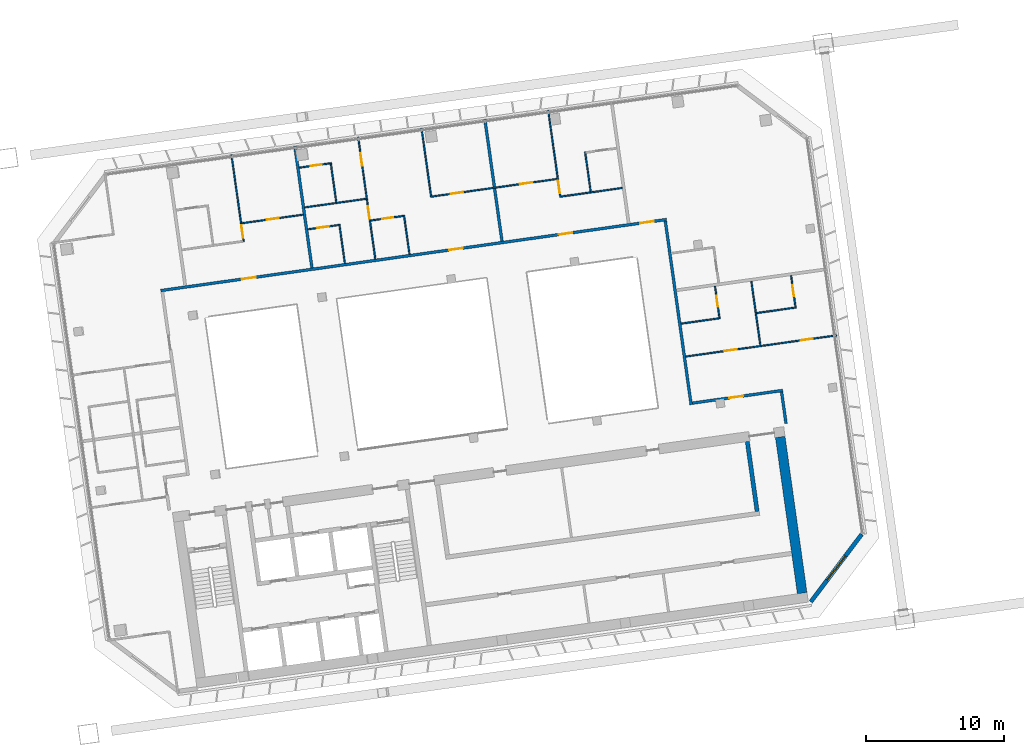
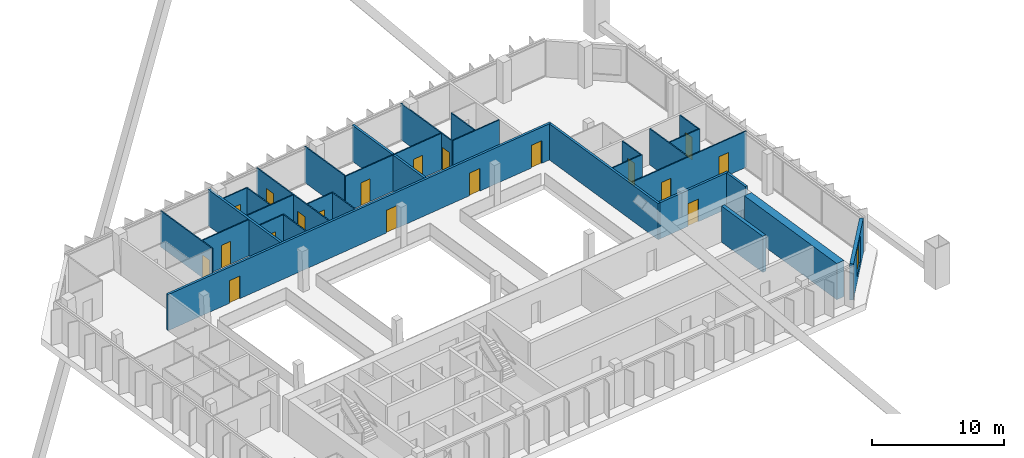
# One storey, part 30 of 38: 30 walls, 19 doors, 1 window, 20 openings.
"""IFC4 building model written with IfcOpenShell, lengths in metres."""

import ifcopenshell
import ifcopenshell.guid

model = None  # the IFC model being written
_history = None  # IfcOwnerHistory: only IFC2X3 demands one
_inside = {}  # id of a spatial element -> (the spatial element, [elements in it])
_under = {}  # id of a project, library or spatial element -> (it, [spatial elements below it])
_declared = {}  # id of a project -> (the project, [libraries it declares])
_typed = {}  # id of a type object -> (the type object, [elements of that type])
_made_of = {}  # id of a material, layer set ... -> (it, [elements and type objects made of it])


def new_model(schema):
    """Start an empty IFC model of exactly this schema.

    Asked for "IFC4X3", IfcOpenShell would pick the latest addendum, in which some entities
    have other attributes; the version numbers below select the first issue.
    IFC2X3 requires an IfcOwnerHistory on every rooted entity: one is made here for all.
    """
    global model, _history
    if schema == "IFC4X3":
        model = ifcopenshell.file(schema_version=(4, 3, 0, 0))
    else:
        model = ifcopenshell.file(schema=schema)
    _inside.clear()
    _under.clear()
    _declared.clear()
    _typed.clear()
    _made_of.clear()
    _history = None
    if model.schema == "IFC2X3":
        org = make("IfcOrganization", Name="unknown")
        user = make(
            "IfcPersonAndOrganization",
            ThePerson=make("IfcPerson", FamilyName="unknown"),
            TheOrganization=org,
        )
        app = make(
            "IfcApplication",
            ApplicationDeveloper=org,
            Version="unknown",
            ApplicationFullName="unknown",
            ApplicationIdentifier="unknown",
        )
        _history = make(
            "IfcOwnerHistory",
            OwningUser=user,
            OwningApplication=app,
            ChangeAction="ADDED",
            CreationDate=0,
        )
    return model


def make(cls, **values):
    """One entity of the class cls with the attributes given. An attribute that is None is left unset."""
    return model.create_entity(
        cls, **{name: value for name, value in values.items() if value is not None}
    )


def rooted(cls, **values):
    """An entity with a GlobalId (a new one), such as an element, a storey or a relation."""
    return make(cls, GlobalId=ifcopenshell.guid.new(), OwnerHistory=_history, **values)


def si_unit(unit_type, name, prefix=None):
    """IfcSIUnit, for example si_unit("LENGTHUNIT", "METRE", prefix="MILLI")."""
    return make("IfcSIUnit", UnitType=unit_type, Prefix=prefix, Name=name)


def assignment(units):
    """IfcUnitAssignment: the units of a project."""
    return None if units is None else make("IfcUnitAssignment", Units=units)


def point(xyz):
    """IfcCartesianPoint."""
    return None if xyz is None else make("IfcCartesianPoint", Coordinates=xyz)


def direction(xyz):
    """IfcDirection."""
    return None if xyz is None else make("IfcDirection", DirectionRatios=xyz)


def frame(location, z_axis=None, x_axis=None):
    """IfcAxis2Placement3D, a coordinate frame: its origin and axes. An axis left out is left unset."""
    return make(
        "IfcAxis2Placement3D",
        Location=point(location),
        Axis=direction(z_axis),
        RefDirection=direction(x_axis),
    )


def frame_2d(location, x_axis=None):
    """IfcAxis2Placement2D, a coordinate frame in the plane: its origin and x axis."""
    return make(
        "IfcAxis2Placement2D", Location=point(location), RefDirection=direction(x_axis)
    )


def origin():
    """The frame at (0, 0, 0) with its axes left unset."""
    return frame((0.0, 0.0, 0.0))


def place(relative_to, where):
    """IfcLocalPlacement: puts the frame where relative to a parent placement (None: the world)."""
    return make(
        "IfcLocalPlacement", PlacementRelTo=relative_to, RelativePlacement=where
    )


def context(
    kind, dimensions, precision=None, world=None, true_north=None, identifier=None
):
    """IfcGeometricRepresentationContext, for example the 3D "Model" context."""
    return make(
        "IfcGeometricRepresentationContext",
        ContextIdentifier=identifier,
        ContextType=kind,
        CoordinateSpaceDimension=dimensions,
        Precision=precision,
        WorldCoordinateSystem=world,
        TrueNorth=true_north,
    )


def subcontext(parent, identifier, kind, view, scale=None):
    """IfcGeometricRepresentationSubContext, for example "Body" below "Model"."""
    return make(
        "IfcGeometricRepresentationSubContext",
        ContextIdentifier=identifier,
        ContextType=kind,
        ParentContext=parent,
        TargetScale=scale,
        TargetView=view,
    )


def project(units=None, contexts=None):
    """IfcProject with its units and contexts."""
    return rooted(
        "IfcProject",
        Name="project",
        RepresentationContexts=contexts,
        UnitsInContext=assignment(units),
    )


def spatial(cls, under=None, at=None, **own):
    """A site, building, storey or space (cls), placed at a placement, below another one or the project."""
    s = rooted(cls, ObjectPlacement=at, **own)
    if under is not None:
        _under.setdefault(under.id(), (under, []))[1].append(s)
    return s


def profile(cls, at=None, kind="AREA", **sizes):
    """A parametric profile (cls). Its sizes go by their IFC names, for example OverallWidth=200.0."""
    return make(cls, ProfileType=kind, Position=at, **sizes)


def rectangle(**sizes):
    """IfcRectangleProfileDef."""
    return profile("IfcRectangleProfileDef", **sizes)


def extrude(swept, where, along, depth):
    """IfcExtrudedAreaSolid: the profile swept, set in the frame where, extruded along a direction by depth."""
    return make(
        "IfcExtrudedAreaSolid",
        SweptArea=swept,
        Position=where,
        ExtrudedDirection=direction(along),
        Depth=depth,
    )


def shape(context_of_items, identifier, shape_type, items):
    """IfcShapeRepresentation: the items that make up one representation, for example the "Body"."""
    return make(
        "IfcShapeRepresentation",
        ContextOfItems=context_of_items,
        RepresentationIdentifier=identifier,
        RepresentationType=shape_type,
        Items=items,
    )


def material(Name=None, Category=None):
    """IfcMaterial."""
    return make("IfcMaterial", Name=Name, Category=Category)


def layer(
    of_material, thickness, ventilated=None, Name=None, Category=None, Priority=None
):
    """IfcMaterialLayer: one layer of a wall or slab, of a material (None: an air gap)."""
    return make(
        "IfcMaterialLayer",
        Material=of_material,
        LayerThickness=thickness,
        IsVentilated=ventilated,
        Name=Name,
        Category=Category,
        Priority=Priority,
    )


def layer_set(layers, Name=None):
    """IfcMaterialLayerSet."""
    return make("IfcMaterialLayerSet", MaterialLayers=layers, LayerSetName=Name)


def made_of(thing, what):
    """Note that an element or type object is made of a material, layer set ...; save() writes the relation."""
    if what is not None:
        _made_of.setdefault(what.id(), (what, []))[1].append(thing)
    return thing


def type_object(cls, material=None, **own):
    """A type object (cls), such as IfcWallType, which elements share."""
    return made_of(rooted(cls, **own), material)


def element(
    cls,
    number,
    at=None,
    inside=None,
    cuts=None,
    type_object=None,
    material=None,
    context=None,
    identifier="Body",
    shape_type=None,
    held_by="IfcProductDefinitionShape",
    body=None,
    shapes=None,
    **own,
):
    """One element of the class cls, such as IfcWall. Its Tag is "e" and its number.

    at: its placement. inside: the storey or other place that contains it. cuts: it is an
    opening in that element (IfcRelVoidsElement). A single representation is given by context,
    identifier, shape_type and body (its items); several are given by shapes. held_by: the class
    of the entity that holds the representations. save() writes the other relations.
    """
    e = rooted(cls, Tag="e%d" % number, ObjectPlacement=at, **own)
    if body is not None:
        shapes = [shape(context, identifier, shape_type, body)]
    if shapes is not None:
        e.Representation = make(held_by, Representations=shapes)
    if inside is not None:
        _inside.setdefault(inside.id(), (inside, []))[1].append(e)
    if cuts is not None:
        rooted(
            "IfcRelVoidsElement", RelatingBuildingElement=cuts, RelatedOpeningElement=e
        )
    if type_object is not None:
        _typed.setdefault(type_object.id(), (type_object, []))[1].append(e)
    return made_of(e, material)


def fill(opening, filler):
    """IfcRelFillsElement: the door or window that sits in an opening."""
    return rooted(
        "IfcRelFillsElement",
        RelatingOpeningElement=opening,
        RelatedBuildingElement=filler,
    )


def aggregate(whole, parts):
    """IfcRelAggregates: a whole, such as a stair, and the parts it consists of."""
    return rooted("IfcRelAggregates", RelatingObject=whole, RelatedObjects=parts)


def save(model, path):
    """Write the relations noted so far, then the file.

    IfcRelAggregates (storeys below a building ...), IfcRelContainedInSpatialStructure (elements
    in a storey), IfcRelDefinesByType, IfcRelAssociatesMaterial and IfcRelDeclares: one each for
    every whole, place, type object, material and project.
    """
    for whole, parts in _under.values():
        aggregate(whole, parts)
    for where, things in _inside.values():
        rooted(
            "IfcRelContainedInSpatialStructure",
            RelatedElements=things,
            RelatingStructure=where,
        )
    for kind, things in _typed.values():
        rooted("IfcRelDefinesByType", RelatedObjects=things, RelatingType=kind)
    for what, things in _made_of.values():
        rooted("IfcRelAssociatesMaterial", RelatedObjects=things, RelatingMaterial=what)
    for by, libraries in _declared.values():
        rooted("IfcRelDeclares", RelatingContext=by, RelatedDefinitions=libraries)
    model.write(path)


model = new_model("IFC4")

# Units and contexts
model_context = context("Model", 3, precision=1e-05, world=origin(), true_north=direction((0.0, 1.0)))
body_context = subcontext(model_context, "Body", "Model", "MODEL_VIEW")
ifc_project = project(units=[si_unit("LENGTHUNIT", "METRE"), si_unit("AREAUNIT", "SQUARE_METRE"), si_unit("VOLUMEUNIT", "CUBIC_METRE"), si_unit("PLANEANGLEUNIT", "RADIAN"), si_unit("MASSUNIT", "GRAM", prefix="KILO")], contexts=[model_context])

# Site, building, storey
site_placement = place(None, origin())
site = spatial("IfcSite", under=ifc_project, at=site_placement, CompositionType="ELEMENT")
building_placement = place(site_placement, origin())
building = spatial("IfcBuilding", under=site, at=building_placement, Name="Mirante Cascada Hotel Towers", CompositionType="ELEMENT")
storey_placement = place(building_placement, frame((0.0, 0.0, 184.0)))
storey = spatial("IfcBuildingStorey", under=building, at=storey_placement, Name="L43", CompositionType="ELEMENT", Elevation=184.0)

# Wall, opening, door
ifc_material_1 = material(Name="Fire-rated plasterboard on metal studs")
ifc_layer_1 = layer(ifc_material_1, 0.2)
ifc_layer_set_1 = layer_set([ifc_layer_1], Name="Compartment wall 200 EI 120")
wall_type_1 = type_object("IfcWallType", Name="Compartment wall 200 EI 120", PredefinedType="PARTITIONING", material=ifc_layer_set_1)
wall_1_placement = place(storey_placement, frame((73.0547, 0.6175, 0.0), z_axis=(0.0, 0.0, 1.0), x_axis=(0.990267, 0.139181, 0.0)))
wall_1 = element("IfcWall", 1, at=wall_1_placement, inside=storey, type_object=wall_type_1, Name="Wall 2-L43-04", PredefinedType="PARTITIONING", context=body_context, shape_type="SweptSolid", body=[
    extrude(rectangle(XDim=6.6, YDim=0.2, at=frame_2d((3.3, 0.0))), origin(), (0.0, 0.0, 1.0), 3.35),
])
opening_1_placement = place(wall_1_placement, frame((2.7, 0.0, 0.0)))
opening_1 = element("IfcOpeningElement", 2, at=opening_1_placement, cuts=wall_1, Name="Opening D2-L43-04", PredefinedType="OPENING", context=body_context, shape_type="SweptSolid", body=[
    extrude(rectangle(XDim=1.0, YDim=2.1, at=frame_2d((0.5, 1.05))), frame((0.0, 0.1, 0.0), z_axis=(0.0, -1.0, 0.0), x_axis=(1.0, 0.0, 0.0)), (0.0, 0.0, 1.0), 0.2),
])
ifc_material_2 = material(Name="Fire-rated timber door leaf", Category="wood")
door_type_1 = type_object("IfcDoorType", Name="Entrance door DG1 1000x2100 EI 60", OperationType="SINGLE_SWING_LEFT", PredefinedType="DOOR", material=ifc_material_2)
door_1_placement = place(opening_1_placement, frame((1.0, 0.0, 0.0), z_axis=(0.0, 0.0, 1.0), x_axis=(-1.0, 0.0, 0.0)))
door_1 = element("IfcDoor", 3, at=door_1_placement, inside=storey, type_object=door_type_1, Name="Door D2-L43-04", OperationType="SINGLE_SWING_RIGHT", OverallHeight=2.1, OverallWidth=1.0, PredefinedType="DOOR", context=body_context, shape_type="SweptSolid", body=[
    extrude(rectangle(XDim=1.0, YDim=2.1, at=frame_2d((0.5, 1.05))), frame((0.0, 0.025, 0.0), z_axis=(0.0, -1.0, 0.0), x_axis=(1.0, 0.0, 0.0)), (0.0, 0.0, 1.0), 0.05),
])
fill(opening_1, door_1)

# Wall, openings, doors
wall_2_placement = place(storey_placement, frame((34.6489, 8.7516, 0.0), z_axis=(0.0, 0.0, 1.0), x_axis=(0.990268, 0.1391734, 0.0)))
wall_2 = element("IfcWall", 4, at=wall_2_placement, inside=storey, type_object=wall_type_1, Name="Wall 2-L43-16", PredefinedType="PARTITIONING", context=body_context, shape_type="SweptSolid", body=[
    extrude(rectangle(XDim=36.9, YDim=0.2, at=frame_2d((18.45, 0.0))), origin(), (0.0, 0.0, 1.0), 3.35),
])
opening_2_placement = place(wall_2_placement, frame((5.9237, 0.0, 0.0)))
opening_2 = element("IfcOpeningElement", 5, at=opening_2_placement, cuts=wall_2, Name="Opening D2-L43-09", PredefinedType="OPENING", context=body_context, shape_type="SweptSolid", body=[
    extrude(rectangle(XDim=1.0, YDim=2.1, at=frame_2d((0.5, 1.05))), frame((0.0, 0.1, 0.0), z_axis=(0.0, -1.0, 0.0), x_axis=(1.0, 0.0, 0.0)), (0.0, 0.0, 1.0), 0.2),
])
opening_3_placement = place(wall_2_placement, frame((21.036, 0.0, 0.0)))
opening_3 = element("IfcOpeningElement", 6, at=opening_3_placement, cuts=wall_2, Name="Opening D2-L43-10", PredefinedType="OPENING", context=body_context, shape_type="SweptSolid", body=[
    extrude(rectangle(XDim=1.0, YDim=2.1, at=frame_2d((0.5, 1.05))), frame((0.0, 0.1, 0.0), z_axis=(0.0, -1.0, 0.0), x_axis=(1.0, 0.0, 0.0)), (0.0, 0.0, 1.0), 0.2),
])
opening_4_placement = place(wall_2_placement, frame((29.0338, 0.0, 0.0)))
opening_4 = element("IfcOpeningElement", 7, at=opening_4_placement, cuts=wall_2, Name="Opening D2-L43-11", PredefinedType="OPENING", context=body_context, shape_type="SweptSolid", body=[
    extrude(rectangle(XDim=1.0, YDim=2.1, at=frame_2d((0.5, 1.05))), frame((0.0, 0.1, 0.0), z_axis=(0.0, -1.0, 0.0), x_axis=(1.0, 0.0, 0.0)), (0.0, 0.0, 1.0), 0.2),
])
opening_5_placement = place(wall_2_placement, frame((34.9779, 0.0, 0.0)))
opening_5 = element("IfcOpeningElement", 8, at=opening_5_placement, cuts=wall_2, Name="Opening D2-L43-12", PredefinedType="OPENING", context=body_context, shape_type="SweptSolid", body=[
    extrude(rectangle(XDim=1.0, YDim=2.1, at=frame_2d((0.5, 1.05))), frame((0.0, 0.1, 0.0), z_axis=(0.0, -1.0, 0.0), x_axis=(1.0, 0.0, 0.0)), (0.0, 0.0, 1.0), 0.2),
])
door_2_placement = place(opening_2_placement, origin())
door_2 = element("IfcDoor", 9, at=door_2_placement, inside=storey, type_object=door_type_1, Name="Door D2-L43-09", OperationType="SINGLE_SWING_LEFT", OverallHeight=2.1, OverallWidth=1.0, PredefinedType="DOOR", context=body_context, shape_type="SweptSolid", body=[
    extrude(rectangle(XDim=1.0, YDim=2.1, at=frame_2d((0.5, 1.05))), frame((0.0, 0.025, 0.0), z_axis=(0.0, -1.0, 0.0), x_axis=(1.0, 0.0, 0.0)), (0.0, 0.0, 1.0), 0.05),
])
fill(opening_2, door_2)
door_3_placement = place(opening_3_placement, origin())
door_3 = element("IfcDoor", 10, at=door_3_placement, inside=storey, type_object=door_type_1, Name="Door D2-L43-10", OperationType="SINGLE_SWING_LEFT", OverallHeight=2.1, OverallWidth=1.0, PredefinedType="DOOR", context=body_context, shape_type="SweptSolid", body=[
    extrude(rectangle(XDim=1.0, YDim=2.1, at=frame_2d((0.5, 1.05))), frame((0.0, 0.025, 0.0), z_axis=(0.0, -1.0, 0.0), x_axis=(1.0, 0.0, 0.0)), (0.0, 0.0, 1.0), 0.05),
])
fill(opening_3, door_3)
door_4_placement = place(opening_4_placement, origin())
door_4 = element("IfcDoor", 11, at=door_4_placement, inside=storey, type_object=door_type_1, Name="Door D2-L43-11", OperationType="SINGLE_SWING_LEFT", OverallHeight=2.1, OverallWidth=1.0, PredefinedType="DOOR", context=body_context, shape_type="SweptSolid", body=[
    extrude(rectangle(XDim=1.0, YDim=2.1, at=frame_2d((0.5, 1.05))), frame((0.0, 0.025, 0.0), z_axis=(0.0, -1.0, 0.0), x_axis=(1.0, 0.0, 0.0)), (0.0, 0.0, 1.0), 0.05),
])
fill(opening_4, door_4)
door_5_placement = place(opening_5_placement, origin())
door_5 = element("IfcDoor", 12, at=door_5_placement, inside=storey, type_object=door_type_1, Name="Door D2-L43-12", OperationType="SINGLE_SWING_LEFT", OverallHeight=2.1, OverallWidth=1.0, PredefinedType="DOOR", context=body_context, shape_type="SweptSolid", body=[
    extrude(rectangle(XDim=1.0, YDim=2.1, at=frame_2d((0.5, 1.05))), frame((0.0, 0.025, 0.0), z_axis=(0.0, -1.0, 0.0), x_axis=(1.0, 0.0, 0.0)), (0.0, 0.0, 1.0), 0.05),
])
fill(opening_5, door_5)

# Walls
for number, where, z_axis, x_axis, name in (
    (13, (45.5732, 10.3879, 0.0), (0.0, 0.0, 1.0), (-0.1391684, 0.9902687, 0.0), "Wall 2-L43-38"),
    (14, (59.3043, 12.3177, 0.0), (0.0, 0.0, 1.0), (-0.1391684, 0.9902687, 0.0), "Wall 2-L43-44"),
):
    element("IfcWall", number, at=place(storey_placement, frame(where, z_axis=z_axis, x_axis=x_axis)), inside=storey, type_object=wall_type_1, Name=name, PredefinedType="PARTITIONING", context=body_context, shape_type="SweptSolid", body=[
        extrude(rectangle(XDim=8.9, YDim=0.2, at=frame_2d((4.45, 0.0))), origin(), (0.0, 0.0, 1.0), 3.35),
    ])
wall_3_placement = place(storey_placement, frame((72.9696, 0.5046, 0.0), z_axis=(0.0, 0.0, 1.0), x_axis=(-0.1391716, 0.9902683, 0.0)))
element("IfcWall", 15, at=wall_3_placement, inside=storey, type_object=wall_type_1, Name="Wall 2-L43-48", PredefinedType="PARTITIONING", context=body_context, shape_type="SweptSolid", body=[
    extrude(rectangle(XDim=13.4, YDim=0.2, at=frame_2d((6.7, 0.0))), origin(), (0.0, 0.0, 1.0), 3.35),
])
wall_4_placement = place(storey_placement, frame((79.8255, -0.8545, 0.0), z_axis=(0.0, 0.0, 1.0), x_axis=(-0.1391749, 0.9902678, 0.0)))
element("IfcWall", 16, at=wall_4_placement, inside=storey, type_object=wall_type_1, Name="Wall 2-L43-52", PredefinedType="PARTITIONING", context=body_context, shape_type="SweptSolid", body=[
    extrude(rectangle(XDim=2.3, YDim=0.2, at=frame_2d((1.15, 0.0))), origin(), (0.0, 0.0, 1.0), 3.35),
])

# Wall, openings, doors
ifc_material_3 = material(Name="Plasterboard on metal studs")
ifc_layer_2 = layer(ifc_material_3, 0.1)
ifc_layer_set_2 = layer_set([ifc_layer_2], Name="Partition 100")
wall_type_2 = type_object("IfcWallType", Name="Partition 100", PredefinedType="PARTITIONING", material=ifc_layer_set_2)
wall_5_placement = place(storey_placement, frame((72.5815, 3.9844, 0.0), z_axis=(0.0, 0.0, 1.0), x_axis=(0.9902682, 0.1391721, 0.0)))
wall_5 = element("IfcWall", 17, at=wall_5_placement, inside=storey, type_object=wall_type_2, Name="Wall 2-L43-08", PredefinedType="PARTITIONING", context=body_context, shape_type="SweptSolid", body=[
    extrude(rectangle(XDim=11.0001, YDim=0.1, at=frame_2d((5.5, 0.0))), origin(), (0.0, 0.0, 1.0), 3.35),
])
opening_6_placement = place(wall_5_placement, frame((2.825, 0.0, 0.0)))
opening_6 = element("IfcOpeningElement", 18, at=opening_6_placement, cuts=wall_5, Name="Opening D2-L43-05", PredefinedType="OPENING", context=body_context, shape_type="SweptSolid", body=[
    extrude(rectangle(XDim=0.9, YDim=2.1, at=frame_2d((0.45, 1.05))), frame((0.0, 0.05, 0.0), z_axis=(0.0, -1.0, 0.0), x_axis=(1.0, 0.0, 0.0)), (0.0, 0.0, 1.0), 0.1),
])
opening_7_placement = place(wall_5_placement, frame((8.375, 0.0, 0.0)))
opening_7 = element("IfcOpeningElement", 19, at=opening_7_placement, cuts=wall_5, Name="Opening D2-L43-06", PredefinedType="OPENING", context=body_context, shape_type="SweptSolid", body=[
    extrude(rectangle(XDim=0.9, YDim=2.1, at=frame_2d((0.45, 1.05))), frame((0.0, 0.05, 0.0), z_axis=(0.0, -1.0, 0.0), x_axis=(1.0, 0.0, 0.0)), (0.0, 0.0, 1.0), 0.1),
])
ifc_material_4 = material(Name="Timber door leaf", Category="wood")
door_type_2 = type_object("IfcDoorType", Name="Room door DG3 900x2100", OperationType="SINGLE_SWING_LEFT", PredefinedType="DOOR", material=ifc_material_4)
door_6_placement = place(opening_6_placement, frame((0.9, 0.0, 0.0), z_axis=(0.0, 0.0, 1.0), x_axis=(-1.0, 0.0, 0.0)))
door_6 = element("IfcDoor", 20, at=door_6_placement, inside=storey, type_object=door_type_2, Name="Door D2-L43-05", OperationType="SINGLE_SWING_RIGHT", OverallHeight=2.1, OverallWidth=0.9, PredefinedType="DOOR", context=body_context, shape_type="SweptSolid", body=[
    extrude(rectangle(XDim=0.9, YDim=2.1, at=frame_2d((0.45, 1.05))), frame((0.0, 0.025, 0.0), z_axis=(0.0, -1.0, 0.0), x_axis=(1.0, 0.0, 0.0)), (0.0, 0.0, 1.0), 0.05),
])
fill(opening_6, door_6)
door_7_placement = place(opening_7_placement, frame((0.9, 0.0, 0.0), z_axis=(0.0, 0.0, 1.0), x_axis=(-1.0, 0.0, 0.0)))
door_7 = element("IfcDoor", 21, at=door_7_placement, inside=storey, type_object=door_type_2, Name="Door D2-L43-06", OperationType="SINGLE_SWING_RIGHT", OverallHeight=2.1, OverallWidth=0.9, PredefinedType="DOOR", context=body_context, shape_type="SweptSolid", body=[
    extrude(rectangle(XDim=0.9, YDim=2.1, at=frame_2d((0.45, 1.05))), frame((0.0, 0.025, 0.0), z_axis=(0.0, -1.0, 0.0), x_axis=(1.0, 0.0, 0.0)), (0.0, 0.0, 1.0), 0.05),
])
fill(opening_7, door_7)

# Walls
wall_6_placement = place(storey_placement, frame((75.0698, 6.7577, 0.0), z_axis=(0.0, 0.0, 1.0), x_axis=(-0.9902704, -0.1391564, 0.0)))
element("IfcWall", 22, at=wall_6_placement, inside=storey, type_object=wall_type_2, Name="Wall 2-L43-11", PredefinedType="PARTITIONING", context=body_context, shape_type="SweptSolid", body=[
    extrude(rectangle(XDim=2.85, YDim=0.1, at=frame_2d((1.425, 0.0))), origin(), (0.0, 0.0, 1.0), 3.35),
])
wall_7_placement = place(storey_placement, frame((77.694, 7.1265, 0.0), z_axis=(0.0, 0.0, 1.0), x_axis=(0.9902683, 0.1391714, 0.0)))
element("IfcWall", 23, at=wall_7_placement, inside=storey, type_object=wall_type_2, Name="Wall 2-L43-12", PredefinedType="PARTITIONING", context=body_context, shape_type="SweptSolid", body=[
    extrude(rectangle(XDim=2.9, YDim=0.1, at=frame_2d((1.45, 0.0))), origin(), (0.0, 0.0, 1.0), 3.35),
])
wall_8_placement = place(storey_placement, frame((63.5691, 15.5426, 0.0), z_axis=(0.0, 0.0, 1.0), x_axis=(0.9902676, 0.1391764, 0.0)))
element("IfcWall", 24, at=wall_8_placement, inside=storey, type_object=wall_type_2, Name="Wall 2-L43-18", PredefinedType="PARTITIONING", context=body_context, shape_type="SweptSolid", body=[
    extrude(rectangle(XDim=4.472, YDim=0.1, at=frame_2d((2.236, 0.0))), origin(), (0.0, 0.0, 1.0), 3.35),
])

# Wall, opening, door
wall_9_placement = place(storey_placement, frame((47.5106, 13.4877, 0.0), z_axis=(0.0, 0.0, 1.0), x_axis=(-0.9902705, -0.1391561, 0.0)))
wall_9 = element("IfcWall", 25, at=wall_9_placement, inside=storey, type_object=wall_type_2, Name="Wall 2-L43-19", PredefinedType="PARTITIONING", context=body_context, shape_type="SweptSolid", body=[
    extrude(rectangle(XDim=2.25, YDim=0.1, at=frame_2d((1.125, 0.0))), origin(), (0.0, 0.0, 1.0), 3.35),
])
opening_8_placement = place(wall_9_placement, frame((0.75, 0.0, 0.0)))
opening_8 = element("IfcOpeningElement", 26, at=opening_8_placement, cuts=wall_9, Name="Opening D2-L43-13", PredefinedType="OPENING", context=body_context, shape_type="SweptSolid", body=[
    extrude(rectangle(XDim=0.8, YDim=2.1, at=frame_2d((0.4, 1.05))), frame((0.0, 0.05, 0.0), z_axis=(0.0, -1.0, 0.0), x_axis=(1.0, 0.0, 0.0)), (0.0, 0.0, 1.0), 0.1),
])
ifc_material_5 = material(Name="Timber door leaf", Category="wood")
door_type_3 = type_object("IfcDoorType", Name="Bathroom door DG4 800x2100", OperationType="SINGLE_SWING_LEFT", PredefinedType="DOOR", material=ifc_material_5)
door_8_placement = place(opening_8_placement, origin())
door_8 = element("IfcDoor", 27, at=door_8_placement, inside=storey, type_object=door_type_3, Name="Door D2-L43-13", OperationType="SINGLE_SWING_LEFT", OverallHeight=2.1, OverallWidth=0.8, PredefinedType="DOOR", context=body_context, shape_type="SweptSolid", body=[
    extrude(rectangle(XDim=0.8, YDim=2.1, at=frame_2d((0.4, 1.05))), frame((0.0, 0.025, 0.0), z_axis=(0.0, -1.0, 0.0), x_axis=(1.0, 0.0, 0.0)), (0.0, 0.0, 1.0), 0.05),
])
fill(opening_8, door_8)

wall_10_placement = place(storey_placement, frame((49.8101, 13.8109, 0.0), z_axis=(0.0, 0.0, 1.0), x_axis=(0.9902663, 0.1391857, 0.0)))
wall_10 = element("IfcWall", 28, at=wall_10_placement, inside=storey, type_object=wall_type_2, Name="Wall 2-L43-20", PredefinedType="PARTITIONING", context=body_context, shape_type="SweptSolid", body=[
    extrude(rectangle(XDim=2.3925, YDim=0.1, at=frame_2d((1.1962, 0.0))), origin(), (0.0, 0.0, 1.0), 3.35),
])
opening_9_placement = place(wall_10_placement, frame((0.8424, 0.0, 0.0)))
opening_9 = element("IfcOpeningElement", 29, at=opening_9_placement, cuts=wall_10, Name="Opening D2-L43-14", PredefinedType="OPENING", context=body_context, shape_type="SweptSolid", body=[
    extrude(rectangle(XDim=0.8, YDim=2.1, at=frame_2d((0.4, 1.05))), frame((0.0, 0.05, 0.0), z_axis=(0.0, -1.0, 0.0), x_axis=(1.0, 0.0, 0.0)), (0.0, 0.0, 1.0), 0.1),
])
door_9_placement = place(opening_9_placement, origin())
door_9 = element("IfcDoor", 30, at=door_9_placement, inside=storey, type_object=door_type_3, Name="Door D2-L43-14", OperationType="SINGLE_SWING_LEFT", OverallHeight=2.1, OverallWidth=0.8, PredefinedType="DOOR", context=body_context, shape_type="SweptSolid", body=[
    extrude(rectangle(XDim=0.8, YDim=2.1, at=frame_2d((0.4, 1.05))), frame((0.0, 0.025, 0.0), z_axis=(0.0, -1.0, 0.0), x_axis=(1.0, 0.0, 0.0)), (0.0, 0.0, 1.0), 0.05),
])
fill(opening_9, door_9)

wall_11_placement = place(storey_placement, frame((44.9314, 14.2361, 0.0), z_axis=(0.0, 0.0, 1.0), x_axis=(-0.9902676, -0.1391764, 0.0)))
wall_11 = element("IfcWall", 31, at=wall_11_placement, inside=storey, type_object=wall_type_2, Name="Wall 2-L43-21", PredefinedType="PARTITIONING", context=body_context, shape_type="SweptSolid", body=[
    extrude(rectangle(XDim=4.472, YDim=0.1, at=frame_2d((2.236, 0.0))), origin(), (0.0, 0.0, 1.0), 3.35),
])
opening_10_placement = place(wall_11_placement, frame((1.761, 0.0, 0.0)))
opening_10 = element("IfcOpeningElement", 32, at=opening_10_placement, cuts=wall_11, Name="Opening D2-L43-15", PredefinedType="OPENING", context=body_context, shape_type="SweptSolid", body=[
    extrude(rectangle(XDim=0.9, YDim=2.1, at=frame_2d((0.45, 1.05))), frame((0.0, 0.05, 0.0), z_axis=(0.0, -1.0, 0.0), x_axis=(1.0, 0.0, 0.0)), (0.0, 0.0, 1.0), 0.1),
])
door_10_placement = place(opening_10_placement, origin())
door_10 = element("IfcDoor", 33, at=door_10_placement, inside=storey, type_object=door_type_2, Name="Door D2-L43-15", OperationType="SINGLE_SWING_LEFT", OverallHeight=2.1, OverallWidth=0.9, PredefinedType="DOOR", context=body_context, shape_type="SweptSolid", body=[
    extrude(rectangle(XDim=0.9, YDim=2.1, at=frame_2d((0.45, 1.05))), frame((0.0, 0.025, 0.0), z_axis=(0.0, -1.0, 0.0), x_axis=(1.0, 0.0, 0.0)), (0.0, 0.0, 1.0), 0.05),
])
fill(opening_10, door_10)

# Wall, openings, doors
wall_12_placement = place(storey_placement, frame((54.135, 15.5295, 0.0), z_axis=(0.0, 0.0, 1.0), x_axis=(0.9902672, 0.1391796, 0.0)))
wall_12 = element("IfcWall", 34, at=wall_12_placement, inside=storey, type_object=wall_type_2, Name="Wall 2-L43-22", PredefinedType="PARTITIONING", context=body_context, shape_type="SweptSolid", body=[
    extrude(rectangle(XDim=9.2442, YDim=0.1, at=frame_2d((4.6221, 0.0))), origin(), (0.0, 0.0, 1.0), 3.35),
])
opening_11_placement = place(wall_12_placement, frame((1.472, 0.0, 0.0)))
opening_11 = element("IfcOpeningElement", 35, at=opening_11_placement, cuts=wall_12, Name="Opening D2-L43-16", PredefinedType="OPENING", context=body_context, shape_type="SweptSolid", body=[
    extrude(rectangle(XDim=0.9, YDim=2.1, at=frame_2d((0.45, 1.05))), frame((0.0, 0.05, 0.0), z_axis=(0.0, -1.0, 0.0), x_axis=(1.0, 0.0, 0.0)), (0.0, 0.0, 1.0), 0.1),
])
opening_12_placement = place(wall_12_placement, frame((6.5331, 0.0, 0.0)))
opening_12 = element("IfcOpeningElement", 36, at=opening_12_placement, cuts=wall_12, Name="Opening D2-L43-17", PredefinedType="OPENING", context=body_context, shape_type="SweptSolid", body=[
    extrude(rectangle(XDim=0.9, YDim=2.1, at=frame_2d((0.45, 1.05))), frame((0.0, 0.05, 0.0), z_axis=(0.0, -1.0, 0.0), x_axis=(1.0, 0.0, 0.0)), (0.0, 0.0, 1.0), 0.1),
])
door_11_placement = place(opening_11_placement, origin())
door_11 = element("IfcDoor", 37, at=door_11_placement, inside=storey, type_object=door_type_2, Name="Door D2-L43-16", OperationType="SINGLE_SWING_LEFT", OverallHeight=2.1, OverallWidth=0.9, PredefinedType="DOOR", context=body_context, shape_type="SweptSolid", body=[
    extrude(rectangle(XDim=0.9, YDim=2.1, at=frame_2d((0.45, 1.05))), frame((0.0, 0.025, 0.0), z_axis=(0.0, -1.0, 0.0), x_axis=(1.0, 0.0, 0.0)), (0.0, 0.0, 1.0), 0.05),
])
fill(opening_11, door_11)
door_12_placement = place(opening_12_placement, frame((0.9, 0.0, 0.0), z_axis=(0.0, 0.0, 1.0), x_axis=(-1.0, 0.0, 0.0)))
door_12 = element("IfcDoor", 38, at=door_12_placement, inside=storey, type_object=door_type_2, Name="Door D2-L43-17", OperationType="SINGLE_SWING_RIGHT", OverallHeight=2.1, OverallWidth=0.9, PredefinedType="DOOR", context=body_context, shape_type="SweptSolid", body=[
    extrude(rectangle(XDim=0.9, YDim=2.1, at=frame_2d((0.45, 1.05))), frame((0.0, 0.025, 0.0), z_axis=(0.0, -1.0, 0.0), x_axis=(1.0, 0.0, 0.0)), (0.0, 0.0, 1.0), 0.05),
])
fill(opening_12, door_12)

# Wall
wall_13_placement = place(storey_placement, frame((45.0599, 14.759, 0.0), z_axis=(0.0, 0.0, 1.0), x_axis=(0.9902676, 0.1391764, 0.0)))
element("IfcWall", 39, at=wall_13_placement, inside=storey, type_object=wall_type_2, Name="Wall 2-L43-24", PredefinedType="PARTITIONING", context=body_context, shape_type="SweptSolid", body=[
    extrude(rectangle(XDim=4.472, YDim=0.1, at=frame_2d((2.236, 0.0))), origin(), (0.0, 0.0, 1.0), 3.35),
])

# Wall, opening, door
wall_14_placement = place(storey_placement, frame((46.8844, 17.9439, 0.0), z_axis=(0.0, 0.0, 1.0), x_axis=(-0.9902705, -0.1391561, 0.0)))
wall_14 = element("IfcWall", 40, at=wall_14_placement, inside=storey, type_object=wall_type_2, Name="Wall 2-L43-27", PredefinedType="PARTITIONING", context=body_context, shape_type="SweptSolid", body=[
    extrude(rectangle(XDim=2.25, YDim=0.1, at=frame_2d((1.125, 0.0))), origin(), (0.0, 0.0, 1.0), 3.35),
])
opening_13_placement = place(wall_14_placement, frame((0.6, 0.0, 0.0)))
opening_13 = element("IfcOpeningElement", 41, at=opening_13_placement, cuts=wall_14, Name="Opening D2-L43-21", PredefinedType="OPENING", context=body_context, shape_type="SweptSolid", body=[
    extrude(rectangle(XDim=0.8, YDim=2.1, at=frame_2d((0.4, 1.05))), frame((0.0, 0.05, 0.0), z_axis=(0.0, -1.0, 0.0), x_axis=(1.0, 0.0, 0.0)), (0.0, 0.0, 1.0), 0.1),
])
door_13_placement = place(opening_13_placement, origin())
door_13 = element("IfcDoor", 42, at=door_13_placement, inside=storey, type_object=door_type_3, Name="Door D2-L43-21", OperationType="SINGLE_SWING_LEFT", OverallHeight=2.1, OverallWidth=0.8, PredefinedType="DOOR", context=body_context, shape_type="SweptSolid", body=[
    extrude(rectangle(XDim=0.8, YDim=2.1, at=frame_2d((0.4, 1.05))), frame((0.0, 0.025, 0.0), z_axis=(0.0, -1.0, 0.0), x_axis=(1.0, 0.0, 0.0)), (0.0, 0.0, 1.0), 0.05),
])
fill(opening_13, door_13)

wall_15_placement = place(storey_placement, frame((39.7575, 18.5581, 0.0), z_axis=(0.0, 0.0, 1.0), x_axis=(0.139181, -0.990267, 0.0)))
wall_15 = element("IfcWall", 43, at=wall_15_placement, inside=storey, type_object=wall_type_2, Name="Wall 2-L43-37", PredefinedType="PARTITIONING", context=body_context, shape_type="SweptSolid", body=[
    extrude(rectangle(XDim=6.35, YDim=0.1, at=frame_2d((3.175, 0.0))), origin(), (0.0, 0.0, 1.0), 3.35),
])
opening_14_placement = place(wall_15_placement, frame((5.15, 0.0, 0.0)))
opening_14 = element("IfcOpeningElement", 44, at=opening_14_placement, cuts=wall_15, Name="Opening D2-L43-28", PredefinedType="OPENING", context=body_context, shape_type="SweptSolid", body=[
    extrude(rectangle(XDim=0.9, YDim=2.1, at=frame_2d((0.45, 1.05))), frame((0.0, 0.05, 0.0), z_axis=(0.0, -1.0, 0.0), x_axis=(1.0, 0.0, 0.0)), (0.0, 0.0, 1.0), 0.1),
])
door_14_placement = place(opening_14_placement, frame((0.9, 0.0, 0.0), z_axis=(0.0, 0.0, 1.0), x_axis=(-1.0, 0.0, 0.0)))
door_14 = element("IfcDoor", 45, at=door_14_placement, inside=storey, type_object=door_type_2, Name="Door D2-L43-28", OperationType="SINGLE_SWING_RIGHT", OverallHeight=2.1, OverallWidth=0.9, PredefinedType="DOOR", context=body_context, shape_type="SweptSolid", body=[
    extrude(rectangle(XDim=0.9, YDim=2.1, at=frame_2d((0.45, 1.05))), frame((0.0, 0.025, 0.0), z_axis=(0.0, -1.0, 0.0), x_axis=(1.0, 0.0, 0.0)), (0.0, 0.0, 1.0), 0.05),
])
fill(opening_14, door_14)

# Walls
wall_16_placement = place(storey_placement, frame((47.5532, 13.5442, 0.0), z_axis=(0.0, 0.0, 1.0), x_axis=(0.1391564, -0.9902704, 0.0)))
element("IfcWall", 46, at=wall_16_placement, inside=storey, type_object=wall_type_2, Name="Wall 2-L43-39", PredefinedType="PARTITIONING", context=body_context, shape_type="SweptSolid", body=[
    extrude(rectangle(XDim=2.85, YDim=0.1, at=frame_2d((1.425, 0.0))), origin(), (0.0, 0.0, 1.0), 3.35),
])
wall_17_placement = place(storey_placement, frame((47.3305, 15.1286, 0.0), z_axis=(0.0, 0.0, 1.0), x_axis=(-0.1391714, 0.9902683, 0.0)))
element("IfcWall", 47, at=wall_17_placement, inside=storey, type_object=wall_type_2, Name="Wall 2-L43-40", PredefinedType="PARTITIONING", context=body_context, shape_type="SweptSolid", body=[
    extrude(rectangle(XDim=2.9, YDim=0.1, at=frame_2d((1.45, 0.0))), origin(), (0.0, 0.0, 1.0), 3.35),
])

# Wall, openings, doors
wall_18_placement = place(storey_placement, frame((48.9117, 19.8446, 0.0), z_axis=(0.0, 0.0, 1.0), x_axis=(0.1391684, -0.9902687, 0.0)))
wall_18 = element("IfcWall", 48, at=wall_18_placement, inside=storey, type_object=wall_type_2, Name="Wall 2-L43-41", PredefinedType="PARTITIONING", context=body_context, shape_type="SweptSolid", body=[
    extrude(rectangle(XDim=8.9, YDim=0.1, at=frame_2d((4.45, 0.0))), origin(), (0.0, 0.0, 1.0), 3.35),
])
opening_15_placement = place(wall_18_placement, frame((5.05, 0.0, 0.0)))
opening_15 = element("IfcOpeningElement", 49, at=opening_15_placement, cuts=wall_18, Name="Opening D2-L43-29", PredefinedType="OPENING", context=body_context, shape_type="SweptSolid", body=[
    extrude(rectangle(XDim=0.9, YDim=2.1, at=frame_2d((0.45, 1.05))), frame((0.0, 0.05, 0.0), z_axis=(0.0, -1.0, 0.0), x_axis=(1.0, 0.0, 0.0)), (0.0, 0.0, 1.0), 0.1),
])
opening_16_placement = place(wall_18_placement, frame((1.2, 0.0, 0.0)))
opening_16 = element("IfcOpeningElement", 50, at=opening_16_placement, cuts=wall_18, Name="Opening D2-L43-30", PredefinedType="OPENING", context=body_context, shape_type="SweptSolid", body=[
    extrude(rectangle(XDim=0.9, YDim=2.1, at=frame_2d((0.45, 1.05))), frame((0.0, 0.05, 0.0), z_axis=(0.0, -1.0, 0.0), x_axis=(1.0, 0.0, 0.0)), (0.0, 0.0, 1.0), 0.1),
])
door_15_placement = place(opening_15_placement, origin())
door_15 = element("IfcDoor", 51, at=door_15_placement, inside=storey, type_object=door_type_2, Name="Door D2-L43-29", OperationType="SINGLE_SWING_LEFT", OverallHeight=2.1, OverallWidth=0.9, PredefinedType="DOOR", context=body_context, shape_type="SweptSolid", body=[
    extrude(rectangle(XDim=0.9, YDim=2.1, at=frame_2d((0.45, 1.05))), frame((0.0, 0.025, 0.0), z_axis=(0.0, -1.0, 0.0), x_axis=(1.0, 0.0, 0.0)), (0.0, 0.0, 1.0), 0.05),
])
fill(opening_15, door_15)
door_16_placement = place(opening_16_placement, origin())
door_16 = element("IfcDoor", 52, at=door_16_placement, inside=storey, type_object=door_type_2, Name="Door D2-L43-30", OperationType="SINGLE_SWING_LEFT", OverallHeight=2.1, OverallWidth=0.9, PredefinedType="DOOR", context=body_context, shape_type="SweptSolid", body=[
    extrude(rectangle(XDim=0.9, YDim=2.1, at=frame_2d((0.45, 1.05))), frame((0.0, 0.025, 0.0), z_axis=(0.0, -1.0, 0.0), x_axis=(1.0, 0.0, 0.0)), (0.0, 0.0, 1.0), 0.05),
])
fill(opening_16, door_16)

# Walls
wall_19_placement = place(storey_placement, frame((52.6185, 11.3781, 0.0), z_axis=(0.0, 0.0, 1.0), x_axis=(-0.1391957, 0.9902649, 0.0)))
element("IfcWall", 53, at=wall_19_placement, inside=storey, type_object=wall_type_2, Name="Wall 2-L43-42", PredefinedType="PARTITIONING", context=body_context, shape_type="SweptSolid", body=[
    extrude(rectangle(XDim=2.8499, YDim=0.1, at=frame_2d((1.425, 0.0))), origin(), (0.0, 0.0, 1.0), 3.35),
])
wall_20_placement = place(storey_placement, frame((53.4887, 20.4878, 0.0), z_axis=(0.0, 0.0, 1.0), x_axis=(0.1391725, -0.9902682, 0.0)))
element("IfcWall", 54, at=wall_20_placement, inside=storey, type_object=wall_type_2, Name="Wall 2-L43-43", PredefinedType="PARTITIONING", context=body_context, shape_type="SweptSolid", body=[
    extrude(rectangle(XDim=4.95, YDim=0.1, at=frame_2d((2.475, 0.0))), origin(), (0.0, 0.0, 1.0), 3.35),
])

# Wall, opening, door
wall_21_placement = place(storey_placement, frame((62.6428, 21.7744, 0.0), z_axis=(0.0, 0.0, 1.0), x_axis=(0.139181, -0.990267, 0.0)))
wall_21 = element("IfcWall", 55, at=wall_21_placement, inside=storey, type_object=wall_type_2, Name="Wall 2-L43-45", PredefinedType="PARTITIONING", context=body_context, shape_type="SweptSolid", body=[
    extrude(rectangle(XDim=6.35, YDim=0.1, at=frame_2d((3.175, 0.0))), origin(), (0.0, 0.0, 1.0), 3.35),
])
opening_17_placement = place(wall_21_placement, frame((5.15, 0.0, 0.0)))
opening_17 = element("IfcOpeningElement", 56, at=opening_17_placement, cuts=wall_21, Name="Opening D2-L43-31", PredefinedType="OPENING", context=body_context, shape_type="SweptSolid", body=[
    extrude(rectangle(XDim=0.9, YDim=2.1, at=frame_2d((0.45, 1.05))), frame((0.0, 0.05, 0.0), z_axis=(0.0, -1.0, 0.0), x_axis=(1.0, 0.0, 0.0)), (0.0, 0.0, 1.0), 0.1),
])
door_17_placement = place(opening_17_placement, frame((0.9, 0.0, 0.0), z_axis=(0.0, 0.0, 1.0), x_axis=(-1.0, 0.0, 0.0)))
door_17 = element("IfcDoor", 57, at=door_17_placement, inside=storey, type_object=door_type_2, Name="Door D2-L43-31", OperationType="SINGLE_SWING_RIGHT", OverallHeight=2.1, OverallWidth=0.9, PredefinedType="DOOR", context=body_context, shape_type="SweptSolid", body=[
    extrude(rectangle(XDim=0.9, YDim=2.1, at=frame_2d((0.45, 1.05))), frame((0.0, 0.025, 0.0), z_axis=(0.0, -1.0, 0.0), x_axis=(1.0, 0.0, 0.0)), (0.0, 0.0, 1.0), 0.05),
])
fill(opening_17, door_17)

# Wall
wall_22_placement = place(storey_placement, frame((65.713, 15.8944, 0.0), z_axis=(0.0, 0.0, 1.0), x_axis=(-0.1391714, 0.9902683, 0.0)))
element("IfcWall", 58, at=wall_22_placement, inside=storey, type_object=wall_type_2, Name="Wall 2-L43-46", PredefinedType="PARTITIONING", context=body_context, shape_type="SweptSolid", body=[
    extrude(rectangle(XDim=2.9, YDim=0.1, at=frame_2d((1.45, 0.0))), origin(), (0.0, 0.0, 1.0), 3.35),
])

# Wall, opening, door
wall_23_placement = place(storey_placement, frame((74.6955, 9.0614, 0.0), z_axis=(0.0, 0.0, 1.0), x_axis=(0.139183, -0.9902667, 0.0)))
wall_23 = element("IfcWall", 59, at=wall_23_placement, inside=storey, type_object=wall_type_2, Name="Wall 2-L43-49", PredefinedType="PARTITIONING", context=body_context, shape_type="SweptSolid", body=[
    extrude(rectangle(XDim=2.2833, YDim=0.1, at=frame_2d((1.1416, 0.0))), origin(), (0.0, 0.0, 1.0), 3.35),
])
opening_18_placement = place(wall_23_placement, frame((0.7, 0.0, 0.0)))
opening_18 = element("IfcOpeningElement", 60, at=opening_18_placement, cuts=wall_23, Name="Opening D2-L43-32", PredefinedType="OPENING", context=body_context, shape_type="SweptSolid", body=[
    extrude(rectangle(XDim=0.8, YDim=2.1, at=frame_2d((0.4, 1.05))), frame((0.0, 0.05, 0.0), z_axis=(0.0, -1.0, 0.0), x_axis=(1.0, 0.0, 0.0)), (0.0, 0.0, 1.0), 0.1),
])
door_18_placement = place(opening_18_placement, origin())
door_18 = element("IfcDoor", 61, at=door_18_placement, inside=storey, type_object=door_type_3, Name="Door D2-L43-32", OperationType="SINGLE_SWING_LEFT", OverallHeight=2.1, OverallWidth=0.8, PredefinedType="DOOR", context=body_context, shape_type="SweptSolid", body=[
    extrude(rectangle(XDim=0.8, YDim=2.1, at=frame_2d((0.4, 1.05))), frame((0.0, 0.025, 0.0), z_axis=(0.0, -1.0, 0.0), x_axis=(1.0, 0.0, 0.0)), (0.0, 0.0, 1.0), 0.05),
])
fill(opening_18, door_18)

# Wall
wall_24_placement = place(storey_placement, frame((77.3197, 9.4302, 0.0), z_axis=(0.0, 0.0, 1.0), x_axis=(0.139176, -0.9902677, 0.0)))
element("IfcWall", 62, at=wall_24_placement, inside=storey, type_object=wall_type_2, Name="Wall 2-L43-51", PredefinedType="PARTITIONING", context=body_context, shape_type="SweptSolid", body=[
    extrude(rectangle(XDim=4.6833, YDim=0.1, at=frame_2d((2.3416, 0.0))), origin(), (0.0, 0.0, 1.0), 3.35),
])

# Wall, opening, door
wall_25_placement = place(storey_placement, frame((80.1915, 9.8338, 0.0), z_axis=(0.0, 0.0, 1.0), x_axis=(0.139183, -0.9902667, 0.0)))
wall_25 = element("IfcWall", 63, at=wall_25_placement, inside=storey, type_object=wall_type_2, Name="Wall 2-L43-53", PredefinedType="PARTITIONING", context=body_context, shape_type="SweptSolid", body=[
    extrude(rectangle(XDim=2.2833, YDim=0.1, at=frame_2d((1.1416, 0.0))), origin(), (0.0, 0.0, 1.0), 3.35),
])
opening_19_placement = place(wall_25_placement, frame((0.7, 0.0, 0.0)))
opening_19 = element("IfcOpeningElement", 64, at=opening_19_placement, cuts=wall_25, Name="Opening D2-L43-34", PredefinedType="OPENING", context=body_context, shape_type="SweptSolid", body=[
    extrude(rectangle(XDim=0.8, YDim=2.1, at=frame_2d((0.4, 1.05))), frame((0.0, 0.05, 0.0), z_axis=(0.0, -1.0, 0.0), x_axis=(1.0, 0.0, 0.0)), (0.0, 0.0, 1.0), 0.1),
])
door_19_placement = place(opening_19_placement, origin())
door_19 = element("IfcDoor", 65, at=door_19_placement, inside=storey, type_object=door_type_3, Name="Door D2-L43-34", OperationType="SINGLE_SWING_LEFT", OverallHeight=2.1, OverallWidth=0.8, PredefinedType="DOOR", context=body_context, shape_type="SweptSolid", body=[
    extrude(rectangle(XDim=0.8, YDim=2.1, at=frame_2d((0.4, 1.05))), frame((0.0, 0.025, 0.0), z_axis=(0.0, -1.0, 0.0), x_axis=(1.0, 0.0, 0.0)), (0.0, 0.0, 1.0), 0.05),
])
fill(opening_19, door_19)

# Wall, opening, window
ifc_material_6 = material(Name="Precast concrete C40/50", Category="concrete")
ifc_layer_3 = layer(ifc_material_6, 0.3)
ifc_layer_set_3 = layer_set([ifc_layer_3], Name="Precast concrete C40/50 cladding wall 300")
wall_type_3 = type_object("IfcWallType", Name="Precast concrete C40/50 cladding wall 300", PredefinedType="STANDARD", material=ifc_layer_set_3)
wall_26_placement = place(storey_placement, frame((81.6175, -13.7366, 0.0), z_axis=(0.0, 0.0, 1.0), x_axis=(0.6018141, 0.7986362, 0.0)))
wall_26 = element("IfcWall", 66, at=wall_26_placement, inside=storey, type_object=wall_type_3, Name="Corner cladding wall T2 L43 rear outer", PredefinedType="STANDARD", context=body_context, shape_type="SweptSolid", body=[
    extrude(rectangle(XDim=6.1157, YDim=0.3, at=frame_2d((3.0578, 0.0))), origin(), (0.0, 0.0, 1.0), 3.35),
])
opening_20_placement = place(wall_26_placement, frame((1.9578, 0.0, 0.6)))
opening_20 = element("IfcOpeningElement", 67, at=opening_20_placement, cuts=wall_26, Name="Opening W2-43-01", PredefinedType="OPENING", context=body_context, shape_type="SweptSolid", body=[
    extrude(rectangle(XDim=2.2, YDim=2.4, at=frame_2d((1.1, 1.2))), frame((0.0, 0.15, 0.0), z_axis=(0.0, -1.0, 0.0), x_axis=(1.0, 0.0, 0.0)), (0.0, 0.0, 1.0), 0.3),
])
ifc_material_7 = material(Name="Aluminium frame with clear double glazing", Category="aluminium")
window_type = type_object("IfcWindowType", Name="Corner suite window 2200x2400", PartitioningType="DOUBLE_PANEL_VERTICAL", PredefinedType="WINDOW", material=ifc_material_7)
window_placement = place(opening_20_placement, origin())
window = element("IfcWindow", 68, at=window_placement, inside=storey, type_object=window_type, Name="Window W2-43-01", OverallHeight=2.4, OverallWidth=2.2, PartitioningType="SINGLE_PANEL", PredefinedType="WINDOW", context=body_context, shape_type="SweptSolid", body=[
    extrude(rectangle(XDim=2.2, YDim=2.4, at=frame_2d((1.1, 1.2))), frame((0.0, 0.03, 0.0), z_axis=(0.0, -1.0, 0.0), x_axis=(1.0, 0.0, 0.0)), (0.0, 0.0, 1.0), 0.06),
])
fill(opening_20, window)

# Walls
ifc_material_8 = material(Name="Concrete C50/60", Category="concrete")
ifc_layer_4 = layer(ifc_material_8, 0.3)
ifc_layer_set_4 = layer_set([ifc_layer_4], Name="RC core wall 300 C50/60")
wall_type_4 = type_object("IfcWallType", Name="RC core wall 300 C50/60", PredefinedType="SHEAR", material=ifc_layer_set_4)
wall_27_placement = place(storey_placement, frame((77.7392, -7.2067, 0.0), z_axis=(0.0, 0.0, 1.0), x_axis=(-0.1391755, 0.9902677, 0.0)))
element("IfcWall", 69, at=wall_27_placement, inside=storey, type_object=wall_type_4, Name="Core wall T2:L43:28", PredefinedType="SHEAR", context=body_context, shape_type="SweptSolid", body=[
    extrude(rectangle(XDim=5.1, YDim=0.3, at=frame_2d((2.55, 0.0))), origin(), (0.0, 0.0, 1.0), 3.35),
])
ifc_material_9 = material(Name="Concrete C50/60", Category="concrete")
ifc_layer_5 = layer(ifc_material_9, 0.7)
ifc_layer_set_5 = layer_set([ifc_layer_5], Name="RC core wall 700 C50/60")
wall_type_5 = type_object("IfcWallType", Name="RC core wall 700 C50/60", PredefinedType="SHEAR", material=ifc_layer_set_5)
wall_28_placement = place(storey_placement, frame((80.9927, -13.1113, 0.0), z_axis=(0.0, 0.0, 1.0), x_axis=(-0.1391761, 0.9902677, 0.0)))
element("IfcWall", 70, at=wall_28_placement, inside=storey, type_object=wall_type_5, Name="Core wall T2:L43:4", PredefinedType="SHEAR", context=body_context, shape_type="SweptSolid", body=[
    extrude(rectangle(XDim=11.3999, YDim=0.7, at=frame_2d((5.7, 0.0))), origin(), (0.0, 0.0, 1.0), 3.35),
])

save(model, "model.ifc")
